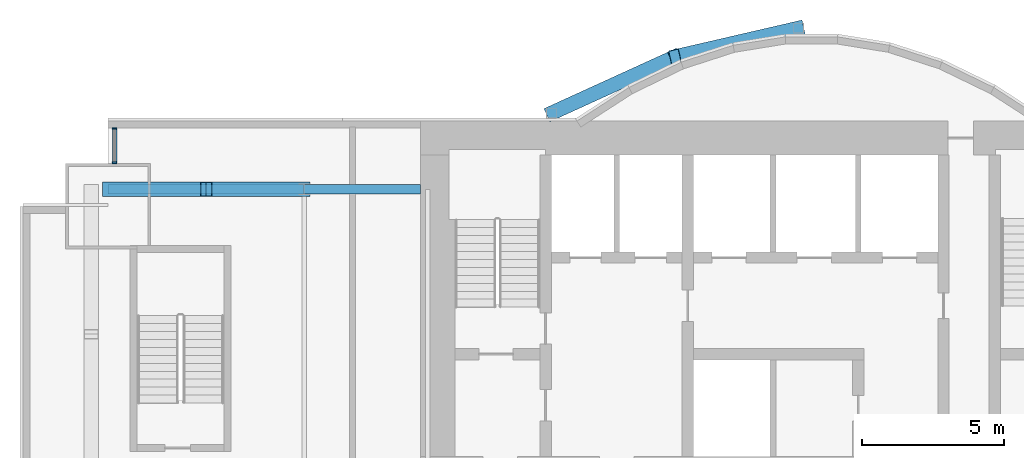
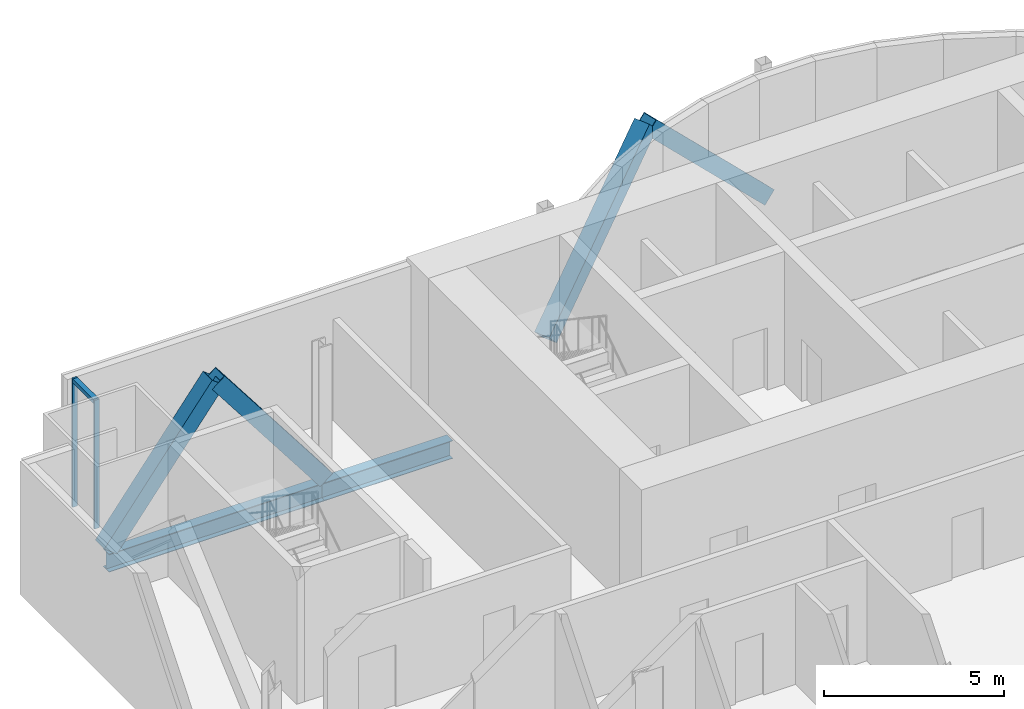
# One storey, part 10 of 21: 7 members, 2 beams, 1 element without a shape of its own.
"""IFC4 building model written with IfcOpenShell, lengths in metres."""

from ifc_helpers import new_model, si_unit, direction, frame, origin, origin_2d, place, context, subcontext, project, spatial, rectangle, hollow_rectangle, i_section, extrude, material, material_profile, profile_set, type_object, element, aggregate, save


model = new_model("IFC4")

# Units and contexts
model_context = context("Model", 3, precision=1e-05, world=origin(), true_north=direction((0.0, 1.0)))
body_context = subcontext(model_context, "Body", "Model", "MODEL_VIEW")
ifc_project = project(units=[si_unit("LENGTHUNIT", "METRE"), si_unit("AREAUNIT", "SQUARE_METRE"), si_unit("VOLUMEUNIT", "CUBIC_METRE"), si_unit("PLANEANGLEUNIT", "RADIAN"), si_unit("MASSUNIT", "GRAM", prefix="KILO")], contexts=[model_context])

# Site, building, storey
site_placement = place(None, origin())
site = spatial("IfcSite", under=ifc_project, at=site_placement, CompositionType="ELEMENT")
building_placement = place(site_placement, origin())
building = spatial("IfcBuilding", under=site, at=building_placement, Name="Bicima Exchange Tower", CompositionType="ELEMENT")
storey_placement = place(building_placement, frame((0.0, 0.0, 66.5)))
storey = spatial("IfcBuildingStorey", under=building, at=storey_placement, Name="L13", CompositionType="ELEMENT", Elevation=66.5)

# Curtain wall, members
ifc_material_1 = material(Name="Anodised bronze aluminium", Category="aluminium")
curtain_wall_type = type_object("IfcCurtainWallType", Name="Front glass wall", PredefinedType="NOTDEFINED", material=ifc_material_1)
curtain_wall_placement = place(storey_placement, origin())
curtain_wall = element("IfcCurtainWall", 1, at=curtain_wall_placement, inside=storey, type_object=curtain_wall_type, Name="Front glass wall L13 run 1", PredefinedType="NOTDEFINED")
ifc_material_profile_1 = material_profile(ifc_material_1, rectangle(XDim=0.159912109375, YDim=0.06005859375, at=origin_2d()))
ifc_profile_set_1 = profile_set([ifc_material_profile_1], Name="Anodised bronze aluminium")
member_type_1 = type_object("IfcMemberType", Name="Front glass wall mullion 60 x 160", PredefinedType="MULLION", material=ifc_profile_set_1)
member_1_placement = place(storey_placement, frame((-32.77001953125, -0.260009765625, 0.0), z_axis=(0.0, 0.0, 1.0), x_axis=(1.0, 0.0, 0.0)))
member_1 = element("IfcMember", 2, at=member_1_placement, type_object=member_type_1, Name="Front glass wall mullion 1", PredefinedType="MULLION", context=body_context, shape_type="SweptSolid", body=[
    extrude(rectangle(XDim=0.159912109375, YDim=0.06005859375, at=origin_2d()), origin(), (0.0, 0.0, 1.0), 4.35009765625),
])
member_2_placement = place(storey_placement, frame((-32.77001953125, -1.469970703125, 0.0), z_axis=(0.0, 0.0, 1.0), x_axis=(1.0, 0.0, 0.0)))
member_2 = element("IfcMember", 3, at=member_2_placement, type_object=member_type_1, Name="Front glass wall mullion 2", PredefinedType="MULLION", context=body_context, shape_type="SweptSolid", body=[
    extrude(rectangle(XDim=0.159912109375, YDim=0.06005859375, at=origin_2d()), origin(), (0.0, 0.0, 1.0), 4.35009765625),
])
ifc_material_profile_2 = material_profile(ifc_material_1, rectangle(XDim=0.159912109375, YDim=0.139892578125, at=origin_2d()))
ifc_profile_set_2 = profile_set([ifc_material_profile_2], Name="Anodised bronze aluminium")
member_type_2 = type_object("IfcMemberType", Name="Front glass wall transom 140 x 160", PredefinedType="USERDEFINED", material=ifc_profile_set_2)
member_3_placement = place(storey_placement, frame((-32.77001953125, -0.2900390625, 4.280029296875), z_axis=(0.0, -1.0, 0.0), x_axis=(1.0, 0.0, 0.0)))
member_3 = element("IfcMember", 4, at=member_3_placement, type_object=member_type_2, Name="Front glass wall transom 1.1", ObjectType="TRANSOM", PredefinedType="USERDEFINED", context=body_context, shape_type="SweptSolid", body=[
    extrude(rectangle(XDim=0.159912109375, YDim=0.139892578125, at=origin_2d()), origin(), (0.0, 0.0, 1.0), 1.14990234375),
])
aggregate(curtain_wall, [member_1, member_2, member_3])

# Members
ifc_material_2 = material(Name="Steel ASTM A572 Gr 50", Category="steel")
ifc_material_profile_3 = material_profile(ifc_material_2, hollow_rectangle(XDim=0.508056640625, YDim=0.508056640625, WallThickness=0.017822265625, at=origin_2d()))
ifc_profile_set_3 = profile_set([ifc_material_profile_3], Name="Steel ASTM A572 Gr 50")
member_type_3 = type_object("IfcMemberType", Name="Mega brace HSS20x20x3/4", PredefinedType="BRACE", material=ifc_profile_set_3)
member_4_placement = place(storey_placement, frame((-17.39990234375, 0.278076171875, 0.0), z_axis=(0.662507516739, 0.302231638101, 0.685375683254), x_axis=(-0.415045223819, 0.909800781592, 0.0)))
element("IfcMember", 5, at=member_4_placement, inside=storey, type_object=member_type_3, Name="Mega brace rexo", PredefinedType="BRACE", context=body_context, shape_type="SweptSolid", body=[
    extrude(hollow_rectangle(XDim=0.508056640625, YDim=0.508056640625, WallThickness=0.017822265625, at=origin_2d()), origin(), (0.0, 0.0, 1.0), 6.565673828125),
])
member_5_placement = place(storey_placement, frame((-8.699951171875, 3.26904296875, 0.0), z_axis=(-0.686212303743, -0.158786245837, 0.709858860848), x_axis=(0.225438503722, -0.974257399787, 0.0)))
element("IfcMember", 6, at=member_5_placement, inside=storey, type_object=member_type_3, Name="Mega brace rexo", PredefinedType="BRACE", context=body_context, shape_type="SweptSolid", body=[
    extrude(hollow_rectangle(XDim=0.508056640625, YDim=0.508056640625, WallThickness=0.017822265625, at=origin_2d()), origin(), (0.0, 0.0, 1.0), 6.33935546875),
])
for number, where, z_axis, x_axis, name in (
    (7, (-33.0, -2.39990234375, 0.0), (0.608426120198, 0.0, 0.793610519248), (0.0, 1.0, 0.0), "Mega brace rear"),
    (8, (-26.10009765625, -2.39990234375, 0.0), (-0.608426120198, 0.0, 0.793610519248), (0.0, -1.0, 0.0), "Mega brace rear"),
):
    element("IfcMember", number, at=place(storey_placement, frame(where, z_axis=z_axis, x_axis=x_axis)), inside=storey, type_object=member_type_3, Name=name, PredefinedType="BRACE", context=body_context, shape_type="SweptSolid", body=[
        extrude(hollow_rectangle(XDim=0.508056640625, YDim=0.508056640625, WallThickness=0.017822265625, at=origin_2d()), origin(), (0.0, 0.0, 1.0), 5.670166015625),
    ])

# Beams
ifc_material_3 = material(Name="Steel ASTM A992 Gr 50", Category="steel")
ifc_material_profile_4 = material_profile(ifc_material_3, i_section(OverallWidth=0.3251953125, OverallDepth=0.612060546875, WebThickness=0.0126953125, FlangeThickness=0.01904296875, at=origin_2d()))
ifc_profile_set_4 = profile_set([ifc_material_profile_4], Name="Steel ASTM A992 Gr 50")
beam_type = type_object("IfcBeamType", Name="Rear girder W24x104", PredefinedType="BEAM", material=ifc_profile_set_4)
beam_1_placement = place(storey_placement, frame((-22.0, -2.39990234375, -0.4560546875), z_axis=(-1.0, 0.0, 0.0), x_axis=(0.0, -1.0, 0.0)))
element("IfcBeam", 9, at=beam_1_placement, inside=storey, type_object=beam_type, Name="Rear girder", PredefinedType="BEAM", context=body_context, shape_type="SweptSolid", body=[
    extrude(i_section(OverallWidth=0.3251953125, OverallDepth=0.612060546875, WebThickness=0.0126953125, FlangeThickness=0.01904296875, at=origin_2d()), origin(), (0.0, 0.0, 1.0), 4.10009765625),
])
beam_2_placement = place(storey_placement, frame((-26.10009765625, -2.39990234375, -0.4560546875), z_axis=(-1.0, 0.0, 0.0), x_axis=(0.0, -1.0, 0.0)))
element("IfcBeam", 10, at=beam_2_placement, inside=storey, type_object=beam_type, Name="Rear girder", PredefinedType="BEAM", context=body_context, shape_type="SweptSolid", body=[
    extrude(i_section(OverallWidth=0.3251953125, OverallDepth=0.612060546875, WebThickness=0.0126953125, FlangeThickness=0.01904296875, at=origin_2d()), origin(), (0.0, 0.0, 1.0), 6.89990234375),
])

save(model, "model.ifc")
